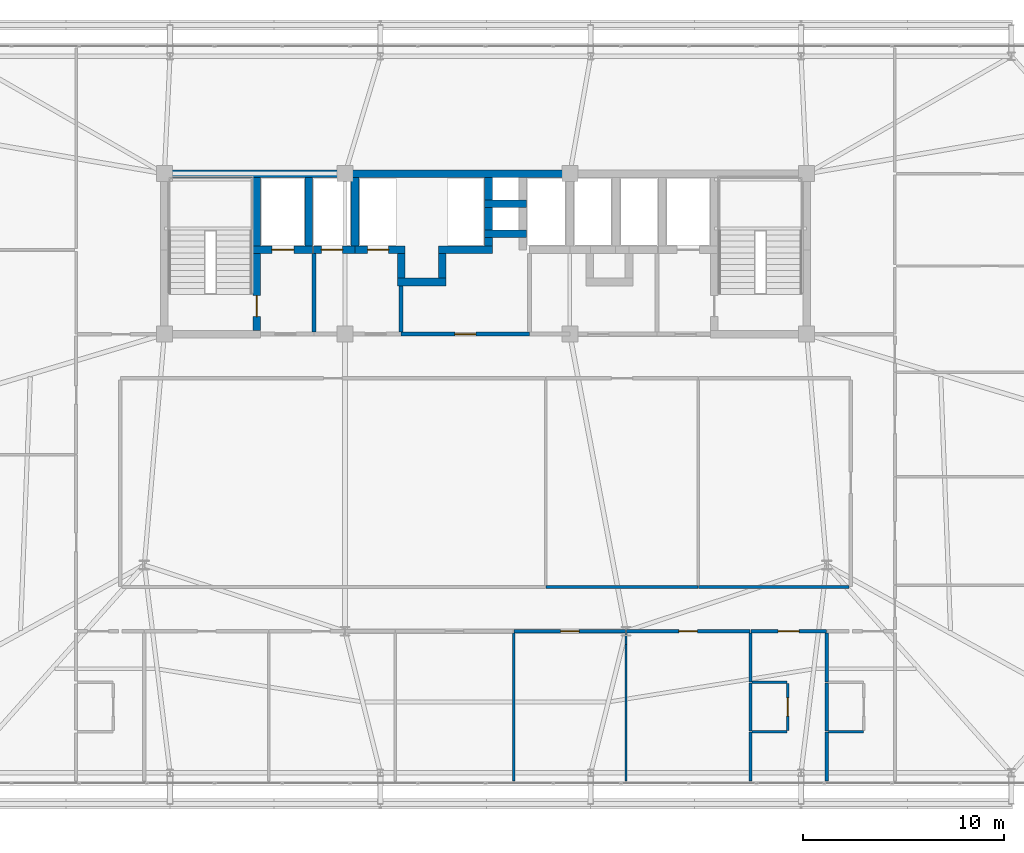
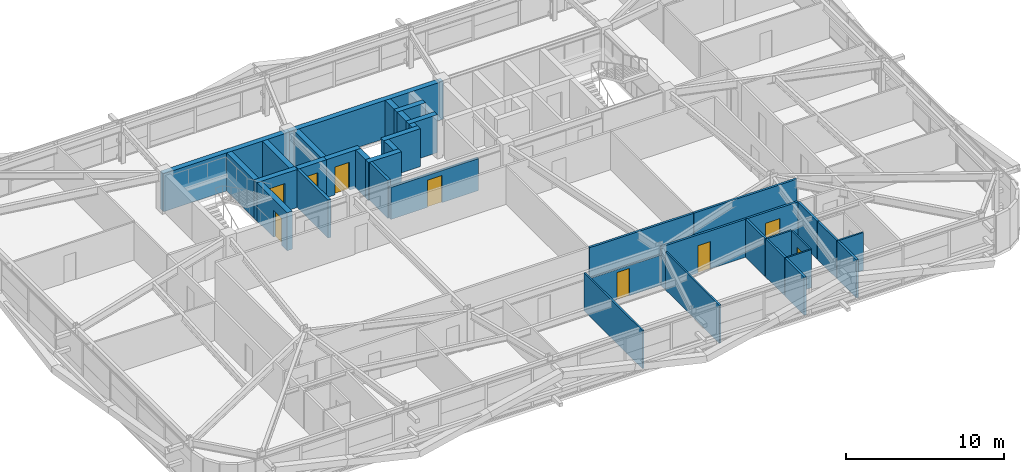
# One storey, part 53 of 58: 39 walls, 9 doors, 9 openings.
"""IFC4 building model written with IfcOpenShell, lengths in metres."""

from ifc_helpers import new_model, si_unit, direction, frame, frame_2d, origin, place, context, subcontext, project, spatial, rectangle, extrude, source, transform, mapped, material, layer, layer_set, type_object, element, fill, save


model = new_model("IFC4")

# Units and contexts
model_context = context("Model", 3, precision=1e-05, world=origin(), true_north=direction((0.0, 1.0)))
body_context = subcontext(model_context, "Body", "Model", "MODEL_VIEW")
ifc_project = project(units=[si_unit("LENGTHUNIT", "METRE"), si_unit("AREAUNIT", "SQUARE_METRE"), si_unit("VOLUMEUNIT", "CUBIC_METRE"), si_unit("PLANEANGLEUNIT", "RADIAN"), si_unit("MASSUNIT", "GRAM", prefix="KILO")], contexts=[model_context])

# Site, building, storey
site_placement = place(None, origin())
site = spatial("IfcSite", under=ifc_project, at=site_placement, CompositionType="ELEMENT")
building_placement = place(site_placement, origin())
building = spatial("IfcBuilding", under=site, at=building_placement, Name="Taldren Reach Tower", CompositionType="ELEMENT")
storey_placement = place(building_placement, frame((0.0, 0.0, 51.449951171875)))
storey = spatial("IfcBuildingStorey", under=building, at=storey_placement, Name="L15", CompositionType="ELEMENT", Elevation=51.449951171875)

# Walls
ifc_material_1 = material(Name="Concrete S80 (80 MPa)", Category="concrete")
ifc_layer_1 = layer(ifc_material_1, 0.3798828125)
ifc_layer_set_1 = layer_set([ifc_layer_1], Name="Concrete S80 (80 MPa)")
wall_type_1 = type_object("IfcWallType", Name="IW-CORE-380", PredefinedType="SHEAR", material=ifc_layer_set_1)
shared_shape_1 = source(origin(), body_context, "Body", "SweptSolid", [
    extrude(rectangle(XDim=9.18994140625, YDim=0.3798828125, at=frame_2d((4.594970703125, 0.0))), origin(), (0.0, 0.0, 1.0), 2.929931640625),
])
wall_1_placement = place(storey_placement, frame((18.81005859375, 32.0, 0.0), z_axis=(0.0, 0.0, 1.0), x_axis=(1.0, 0.0, 0.0)))
element("IfcWall", 1, at=wall_1_placement, inside=storey, type_object=wall_type_1, Name="Rear Core Shear Wall W-CORE-L15-NORTH1", PredefinedType="SHEAR", context=body_context, shape_type="MappedRepresentation", body=[
    mapped(shared_shape_1, transform((0.0, 0.0, 0.0), scale=1.0)),
])
shared_shape_2 = source(origin(), body_context, "Body", "SweptSolid", [
    extrude(rectangle(XDim=11.199951171875, YDim=0.3798828125, at=frame_2d((5.60009765625, 0.0))), origin(), (0.0, 0.0, 1.0), 2.929931640625),
])
wall_2_placement = place(storey_placement, frame((28.0, 32.0, 0.0), z_axis=(0.0, 0.0, 1.0), x_axis=(1.0, 0.0, 0.0)))
element("IfcWall", 2, at=wall_2_placement, inside=storey, type_object=wall_type_1, Name="Rear Core Shear Wall W-CORE-L15-NORTH2", PredefinedType="SHEAR", context=body_context, shape_type="MappedRepresentation", body=[
    mapped(shared_shape_2, transform((0.0, 0.0, 0.0), scale=1.0)),
])
shared_shape_3 = source(origin(), body_context, "Body", "SweptSolid", [
    extrude(rectangle(XDim=3.420166015625, YDim=0.3798828125, at=frame_2d((1.7099609375, 0.0))), origin(), (0.0, 0.0, 1.0), 2.929931640625),
])
for number, where, z_axis, x_axis, name in (
    (3, (23.60009765625, 28.389892578125, 0.0), (0.0, 0.0, 1.0), (0.0, 1.0, 0.0), "Rear Core Shear Wall W-INT-L15-001"),
    (4, (26.199951171875, 28.389892578125, 0.0), (0.0, 0.0, 1.0), (0.0, 1.0, 0.0), "Rear Core Shear Wall W-INT-L15-005"),
    (5, (28.5, 28.389892578125, 0.0), (0.0, 0.0, 1.0), (0.0, 1.0, 0.0), "Rear Core Shear Wall W-INT-L15-029"),
):
    element("IfcWall", number, at=place(storey_placement, frame(where, z_axis=z_axis, x_axis=x_axis)), inside=storey, type_object=wall_type_1, Name=name, PredefinedType="SHEAR", context=body_context, shape_type="MappedRepresentation", body=[
        mapped(shared_shape_3, transform((0.0, 0.0, 0.0), scale=1.0)),
    ])

# Wall, opening, door
shared_shape_4 = source(origin(), body_context, "Body", "SweptSolid", [
    extrude(rectangle(XDim=3.820068359375, YDim=0.3798828125, at=frame_2d((1.91015625, 0.0))), origin(), (0.0, 0.0, 1.0), 2.929931640625),
])
wall_3_placement = place(storey_placement, frame((23.60009765625, 24.18994140625, 0.0), z_axis=(0.0, 0.0, 1.0), x_axis=(0.0, 1.0, 0.0)))
wall_3 = element("IfcWall", 6, at=wall_3_placement, inside=storey, type_object=wall_type_1, Name="Rear Core Shear Wall W-INT-L15-002", PredefinedType="SHEAR", context=body_context, shape_type="MappedRepresentation", body=[
    mapped(shared_shape_4, transform((0.0, 0.0, 0.0), scale=1.0)),
])
shared_shape_5 = source(origin(), body_context, "Body", "SweptSolid", [
    extrude(rectangle(XDim=1.050048828125, YDim=2.10009765625, at=frame_2d((0.52490234375, 1.050048828125))), frame((0.0, 0.199951171875, 0.0), z_axis=(0.0, -1.0, 0.0), x_axis=(1.0, 0.0, 0.0)), (0.0, 0.0, 1.0), 0.39990234375),
])
opening_1_placement = place(wall_3_placement, frame((0.68505859375, 0.0, 0.0)))
opening_1 = element("IfcOpeningElement", 7, at=opening_1_placement, cuts=wall_3, Name="Opening DF-105", PredefinedType="OPENING", context=body_context, shape_type="MappedRepresentation", body=[
    mapped(shared_shape_5, transform((0.0, 0.0, 0.0), scale=1.0)),
])
ifc_material_2 = material(Name="Fire-Rated Care and Stair Exit Door")
door_type_1 = type_object("IfcDoorType", Name="ID-FIRE-105", OperationType="NOTDEFINED", PredefinedType="DOOR", material=ifc_material_2)
shared_shape_6 = source(origin(), body_context, "Body", "SweptSolid", [
    extrude(rectangle(XDim=1.050048828125, YDim=2.10009765625, at=frame_2d((0.52490234375, 1.050048828125))), frame((0.0, 0.02490234375, 0.0), z_axis=(0.0, -1.0, 0.0), x_axis=(1.0, 0.0, 0.0)), (0.0, 0.0, 1.0), 0.050048828125),
])
door_1_placement = place(opening_1_placement, origin())
door_1 = element("IfcDoor", 8, at=door_1_placement, inside=storey, type_object=door_type_1, Name="Fire Exit Stair Door DR-L15-001", OperationType="SINGLE_SWING_LEFT", OverallHeight=2.10009765625, OverallWidth=1.050048828125, PredefinedType="DOOR", context=body_context, shape_type="MappedRepresentation", body=[
    mapped(shared_shape_6, transform((0.0, 0.0, 0.0), scale=1.0)),
])
fill(opening_1, door_1)

shared_shape_7 = source(origin(), body_context, "Body", "SweptSolid", [
    extrude(rectangle(XDim=2.97998046875, YDim=0.3798828125, at=frame_2d((1.489990234375, 0.0))), origin(), (0.0, 0.0, 1.0), 2.929931640625),
])
wall_4_placement = place(storey_placement, frame((23.409912109375, 28.199951171875, 0.0), z_axis=(0.0, 0.0, 1.0), x_axis=(1.0, 0.0, 0.0)))
wall_4 = element("IfcWall", 9, at=wall_4_placement, inside=storey, type_object=wall_type_1, Name="Rear Core Shear Wall W-INT-L15-004", PredefinedType="SHEAR", context=body_context, shape_type="MappedRepresentation", body=[
    mapped(shared_shape_7, transform((0.0, 0.0, 0.0), scale=1.0)),
])
shared_shape_8 = source(origin(), body_context, "Body", "SweptSolid", [
    extrude(rectangle(XDim=1.10009765625, YDim=2.14990234375, at=frame_2d((0.550048828125, 1.074951171875))), frame((0.0, 0.199951171875, 0.0), z_axis=(0.0, -1.0, 0.0), x_axis=(1.0, 0.0, 0.0)), (0.0, 0.0, 1.0), 0.39990234375),
])
opening_2_placement = place(wall_4_placement, frame((0.93994140625, 0.0, 0.0)))
opening_2 = element("IfcOpeningElement", 10, at=opening_2_placement, cuts=wall_4, Name="Opening LD-FL1", PredefinedType="OPENING", context=body_context, shape_type="MappedRepresentation", body=[
    mapped(shared_shape_8, transform((0.0, 0.0, 0.0), scale=1.0)),
])
ifc_material_3 = material(Name="Stainless Steel Gr 316 Emergency Lift Landing Door", Category="steel")
door_type_2 = type_object("IfcDoorType", Name="LD-EMG-110", OperationType="SLIDING_TO_LEFT", PredefinedType="DOOR", material=ifc_material_3)
shared_shape_9 = source(origin(), body_context, "Body", "SweptSolid", [
    extrude(rectangle(XDim=1.10009765625, YDim=2.14990234375, at=frame_2d((0.550048828125, 1.074951171875))), frame((0.0, 0.02490234375, 0.0), z_axis=(0.0, -1.0, 0.0), x_axis=(1.0, 0.0, 0.0)), (0.0, 0.0, 1.0), 0.050048828125),
])
door_2_placement = place(opening_2_placement, origin())
door_2 = element("IfcDoor", 11, at=door_2_placement, inside=storey, type_object=door_type_2, Name="Lift Landing Door LD-FL1-L15", OperationType="SLIDING_TO_LEFT", OverallHeight=2.14990234375, OverallWidth=1.10009765625, PredefinedType="DOOR", context=body_context, shape_type="MappedRepresentation", body=[
    mapped(shared_shape_9, transform((0.0, 0.0, 0.0), scale=1.0)),
])
fill(opening_2, door_2)

# Walls
ifc_material_4 = material(Name="Concrete S50 (50 MPa)", Category="concrete")
ifc_layer_2 = layer(ifc_material_4, 0.199951171875)
ifc_layer_set_2 = layer_set([ifc_layer_2], Name="Concrete S50 (50 MPa)")
wall_type_2 = type_object("IfcWallType", Name="IW-CORE-200", PredefinedType="SOLIDWALL", material=ifc_layer_set_2)
shared_shape_10 = source(origin(), body_context, "Body", "SweptSolid", [
    extrude(rectangle(XDim=3.909912109375, YDim=0.199951171875, at=frame_2d((1.955078125, 0.0))), origin(), (0.0, 0.0, 1.0), 2.929931640625),
])
wall_5_placement = place(storey_placement, frame((26.449951171875, 24.10009765625, 0.0), z_axis=(0.0, 0.0, 1.0), x_axis=(0.0, 1.0, 0.0)))
element("IfcWall", 12, at=wall_5_placement, inside=storey, type_object=wall_type_2, Name="Rear Core Shear Wall W-INT-L15-006", PredefinedType="SOLIDWALL", context=body_context, shape_type="MappedRepresentation", body=[
    mapped(shared_shape_10, transform((0.0, 0.0, 0.0), scale=1.0)),
])
shared_shape_11 = source(origin(), body_context, "Body", "SweptSolid", [
    extrude(rectangle(XDim=2.080078125, YDim=0.3798828125, at=frame_2d((1.0400390625, 0.0))), origin(), (0.0, 0.0, 1.0), 2.929931640625),
])
for number, where, z_axis, x_axis, name in (
    (13, (34.9599609375, 30.5, 0.0), (0.0, 0.0, 1.0), (1.0, 0.0, 0.0), "Rear Core Shear Wall W-INT-L15-015"),
    (14, (34.9599609375, 29.0, 0.0), (0.0, 0.0, 1.0), (1.0, 0.0, 0.0), "Rear Core Shear Wall W-INT-L15-020"),
):
    element("IfcWall", number, at=place(storey_placement, frame(where, z_axis=z_axis, x_axis=x_axis)), inside=storey, type_object=wall_type_1, Name=name, PredefinedType="SHEAR", context=body_context, shape_type="MappedRepresentation", body=[
        mapped(shared_shape_11, transform((0.0, 0.0, 0.0), scale=1.0)),
    ])
shared_shape_12 = source(origin(), body_context, "Body", "SweptSolid", [
    extrude(rectangle(XDim=1.1201171875, YDim=0.3798828125, at=frame_2d((0.56005859375, 0.0))), origin(), (0.0, 0.0, 1.0), 2.929931640625),
])
for number, where, z_axis, x_axis, name in (
    (15, (35.14990234375, 31.81005859375, 0.0), (0.0, 0.0, 1.0), (0.0, -1.0, 0.0), "Rear Core Shear Wall W-INT-L15-016"),
    (16, (35.14990234375, 30.31005859375, 0.0), (0.0, 0.0, 1.0), (0.0, -1.0, 0.0), "Rear Core Shear Wall W-INT-L15-018"),
):
    element("IfcWall", number, at=place(storey_placement, frame(where, z_axis=z_axis, x_axis=x_axis)), inside=storey, type_object=wall_type_1, Name=name, PredefinedType="SHEAR", context=body_context, shape_type="MappedRepresentation", body=[
        mapped(shared_shape_12, transform((0.0, 0.0, 0.0), scale=1.0)),
    ])
shared_shape_13 = source(origin(), body_context, "Body", "SweptSolid", [
    extrude(rectangle(XDim=1.219970703125, YDim=0.3798828125, at=frame_2d((0.60986328125, 0.0))), origin(), (0.0, 0.0, 1.0), 2.929931640625),
])
for number, where, z_axis, x_axis, name in (
    (17, (30.800048828125, 28.010009765625, 0.0), (0.0, 0.0, 1.0), (0.0, -1.0, 0.0), "Rear Core Shear Wall W-INT-L15-021"),
    (18, (32.85009765625, 26.7900390625, 0.0), (0.0, 0.0, 1.0), (0.0, 1.0, 0.0), "Rear Core Shear Wall W-INT-L15-023"),
):
    element("IfcWall", number, at=place(storey_placement, frame(where, z_axis=z_axis, x_axis=x_axis)), inside=storey, type_object=wall_type_1, Name=name, PredefinedType="SHEAR", context=body_context, shape_type="MappedRepresentation", body=[
        mapped(shared_shape_13, transform((0.0, 0.0, 0.0), scale=1.0)),
    ])
shared_shape_14 = source(origin(), body_context, "Body", "SweptSolid", [
    extrude(rectangle(XDim=2.429931640625, YDim=0.3798828125, at=frame_2d((1.21484375, 0.0))), origin(), (0.0, 0.0, 1.0), 2.929931640625),
])
wall_6_placement = place(storey_placement, frame((30.610107421875, 26.60009765625, 0.0), z_axis=(0.0, 0.0, 1.0), x_axis=(1.0, 0.0, 0.0)))
element("IfcWall", 19, at=wall_6_placement, inside=storey, type_object=wall_type_1, Name="Rear Core Shear Wall W-INT-L15-022", PredefinedType="SHEAR", context=body_context, shape_type="MappedRepresentation", body=[
    mapped(shared_shape_14, transform((0.0, 0.0, 0.0), scale=1.0)),
])

# Wall, opening, door
shared_shape_15 = source(origin(), body_context, "Body", "SweptSolid", [
    extrude(rectangle(XDim=2.070068359375, YDim=0.3798828125, at=frame_2d((1.03515625, 0.0))), origin(), (0.0, 0.0, 1.0), 2.929931640625),
])
wall_7_placement = place(storey_placement, frame((26.429931640625, 28.199951171875, 0.0), z_axis=(0.0, 0.0, 1.0), x_axis=(1.0, 0.0, 0.0)))
wall_7 = element("IfcWall", 20, at=wall_7_placement, inside=storey, type_object=wall_type_1, Name="Rear Core Shear Wall W-INT-L15-030", PredefinedType="SHEAR", context=body_context, shape_type="MappedRepresentation", body=[
    mapped(shared_shape_15, transform((0.0, 0.0, 0.0), scale=1.0)),
])
shared_shape_16 = source(origin(), body_context, "Body", "SweptSolid", [
    extrude(rectangle(XDim=1.050048828125, YDim=2.14990234375, at=frame_2d((0.52490234375, 1.074951171875))), frame((0.0, 0.199951171875, 0.0), z_axis=(0.0, -1.0, 0.0), x_axis=(1.0, 0.0, 0.0)), (0.0, 0.0, 1.0), 0.39990234375),
])
opening_3_placement = place(wall_7_placement, frame((0.39501953125, 0.0, 0.0)))
opening_3 = element("IfcOpeningElement", 21, at=opening_3_placement, cuts=wall_7, Name="Opening LD-PL1", PredefinedType="OPENING", context=body_context, shape_type="MappedRepresentation", body=[
    mapped(shared_shape_16, transform((0.0, 0.0, 0.0), scale=1.0)),
])
ifc_material_5 = material(Name="Stainless Steel Gr 316 Passenger Lift Landing Door", Category="steel")
door_type_3 = type_object("IfcDoorType", Name="LD-PAS-105", OperationType="SLIDING_TO_LEFT", PredefinedType="DOOR", material=ifc_material_5)
shared_shape_17 = source(origin(), body_context, "Body", "SweptSolid", [
    extrude(rectangle(XDim=1.050048828125, YDim=2.14990234375, at=frame_2d((0.52490234375, 1.074951171875))), frame((0.0, 0.02490234375, 0.0), z_axis=(0.0, -1.0, 0.0), x_axis=(1.0, 0.0, 0.0)), (0.0, 0.0, 1.0), 0.050048828125),
])
door_3_placement = place(opening_3_placement, origin())
door_3 = element("IfcDoor", 22, at=door_3_placement, inside=storey, type_object=door_type_3, Name="Lift Landing Door LD-PL1-L15", OperationType="SLIDING_TO_LEFT", OverallHeight=2.14990234375, OverallWidth=1.050048828125, PredefinedType="DOOR", context=body_context, shape_type="MappedRepresentation", body=[
    mapped(shared_shape_17, transform((0.0, 0.0, 0.0), scale=1.0)),
])
fill(opening_3, door_3)

shared_shape_18 = source(origin(), body_context, "Body", "SweptSolid", [
    extrude(rectangle(XDim=2.489990234375, YDim=0.3798828125, at=frame_2d((1.2451171875, 0.0))), origin(), (0.0, 0.0, 1.0), 2.929931640625),
])
wall_8_placement = place(storey_placement, frame((28.5, 28.199951171875, 0.0), z_axis=(0.0, 0.0, 1.0), x_axis=(1.0, 0.0, 0.0)))
wall_8 = element("IfcWall", 23, at=wall_8_placement, inside=storey, type_object=wall_type_1, Name="Rear Core Shear Wall W-INT-L15-031", PredefinedType="SHEAR", context=body_context, shape_type="MappedRepresentation", body=[
    mapped(shared_shape_18, transform((0.0, 0.0, 0.0), scale=1.0)),
])
opening_4_placement = place(wall_8_placement, frame((0.625, 0.0, 0.0)))
opening_4 = element("IfcOpeningElement", 24, at=opening_4_placement, cuts=wall_8, Name="Opening LD-PL2", PredefinedType="OPENING", context=body_context, shape_type="MappedRepresentation", body=[
    mapped(shared_shape_16, transform((0.0, 0.0, 0.0), scale=1.0)),
])
door_4_placement = place(opening_4_placement, origin())
door_4 = element("IfcDoor", 25, at=door_4_placement, inside=storey, type_object=door_type_3, Name="Lift Landing Door LD-PL2-L15", OperationType="SLIDING_TO_LEFT", OverallHeight=2.14990234375, OverallWidth=1.050048828125, PredefinedType="DOOR", context=body_context, shape_type="MappedRepresentation", body=[
    mapped(shared_shape_17, transform((0.0, 0.0, 0.0), scale=1.0)),
])
fill(opening_4, door_4)

# Walls
shared_shape_19 = source(origin(), body_context, "Body", "SweptSolid", [
    extrude(rectangle(XDim=2.309814453125, YDim=0.199951171875, at=frame_2d((1.15478515625, 0.0))), origin(), (0.0, 0.0, 1.0), 2.929931640625),
])
wall_9_placement = place(storey_placement, frame((30.800048828125, 26.409912109375, 0.0), z_axis=(0.0, 0.0, 1.0), x_axis=(0.0, -1.0, 0.0)))
element("IfcWall", 26, at=wall_9_placement, inside=storey, type_object=wall_type_2, Name="Rear Core Shear Wall W-INT-L15-032", PredefinedType="SOLIDWALL", context=body_context, shape_type="MappedRepresentation", body=[
    mapped(shared_shape_19, transform((0.0, 0.0, 0.0), scale=1.0)),
])
shared_shape_20 = source(origin(), body_context, "Body", "SweptSolid", [
    extrude(rectangle(XDim=2.68017578125, YDim=0.3798828125, at=frame_2d((1.340087890625, 0.0))), origin(), (0.0, 0.0, 1.0), 2.929931640625),
])
wall_10_placement = place(storey_placement, frame((32.659912109375, 28.199951171875, 0.0), z_axis=(0.0, 0.0, 1.0), x_axis=(1.0, 0.0, 0.0)))
element("IfcWall", 27, at=wall_10_placement, inside=storey, type_object=wall_type_1, Name="Rear Core Shear Wall W-INT-L15-034", PredefinedType="SHEAR", context=body_context, shape_type="MappedRepresentation", body=[
    mapped(shared_shape_20, transform((0.0, 0.0, 0.0), scale=1.0)),
])
shared_shape_21 = source(origin(), body_context, "Body", "SweptSolid", [
    extrude(rectangle(XDim=0.420166015625, YDim=0.3798828125, at=frame_2d((0.2099609375, 0.0))), origin(), (0.0, 0.0, 1.0), 2.929931640625),
])
wall_11_placement = place(storey_placement, frame((35.14990234375, 28.389892578125, 0.0), z_axis=(0.0, 0.0, 1.0), x_axis=(0.0, 1.0, 0.0)))
element("IfcWall", 28, at=wall_11_placement, inside=storey, type_object=wall_type_1, Name="Rear Core Shear Wall W-INT-L15-035", PredefinedType="SHEAR", context=body_context, shape_type="MappedRepresentation", body=[
    mapped(shared_shape_21, transform((0.0, 0.0, 0.0), scale=1.0)),
])

# Wall, opening, door
shared_shape_22 = source(origin(), body_context, "Body", "SweptSolid", [
    extrude(rectangle(XDim=6.39990234375, YDim=0.199951171875, at=frame_2d((3.199951171875, 0.0))), origin(), (0.0, 0.0, 1.0), 2.469970703125),
])
wall_12_placement = place(storey_placement, frame((37.199951171875, 24.0, 0.0), z_axis=(0.0, 0.0, 1.0), x_axis=(-1.0, 0.0, 0.0)))
wall_12 = element("IfcWall", 29, at=wall_12_placement, inside=storey, type_object=wall_type_2, Name="Rear Core Shear Wall W-INT-L15-043", PredefinedType="SOLIDWALL", context=body_context, shape_type="MappedRepresentation", body=[
    mapped(shared_shape_22, transform((0.0, 0.0, 0.0), scale=1.0)),
])
shared_shape_23 = source(origin(), body_context, "Body", "SweptSolid", [
    extrude(rectangle(XDim=1.050048828125, YDim=2.10009765625, at=frame_2d((0.52490234375, 1.050048828125))), frame((0.0, 0.10986328125, 0.0), z_axis=(0.0, -1.0, 0.0), x_axis=(1.0, 0.0, 0.0)), (0.0, 0.0, 1.0), 0.219970703125),
])
opening_5_placement = place(wall_12_placement, frame((2.675048828125, 0.0, 0.0)))
opening_5 = element("IfcOpeningElement", 30, at=opening_5_placement, cuts=wall_12, Name="Opening DF-105", PredefinedType="OPENING", context=body_context, shape_type="MappedRepresentation", body=[
    mapped(shared_shape_23, transform((0.0, 0.0, 0.0), scale=1.0)),
])
door_5_placement = place(opening_5_placement, frame((1.050048828125, 0.0, 0.0), z_axis=(0.0, 0.0, 1.0), x_axis=(-1.0, 0.0, 0.0)))
door_5 = element("IfcDoor", 31, at=door_5_placement, inside=storey, type_object=door_type_1, Name="Interior Door DR-L15-006", OperationType="SINGLE_SWING_RIGHT", OverallHeight=2.10009765625, OverallWidth=1.050048828125, PredefinedType="DOOR", context=body_context, shape_type="MappedRepresentation", body=[
    mapped(shared_shape_6, transform((0.0, 0.0, 0.0), scale=1.0)),
])
fill(opening_5, door_5)

# Wall
ifc_material_6 = material(Name="Insulated Residential Stud Partition", Category="gypsum")
ifc_layer_3 = layer(ifc_material_6, 0.1201171875)
ifc_layer_set_3 = layer_set([ifc_layer_3], Name="Insulated Residential Stud Partition")
wall_type_3 = type_object("IfcWallType", Name="IW-PART-120", PredefinedType="PARTITIONING", material=ifc_layer_set_3)
shared_shape_24 = source(origin(), body_context, "Body", "SweptSolid", [
    extrude(rectangle(XDim=7.39013671875, YDim=0.1201171875, at=frame_2d((3.695068359375, 0.0))), origin(), (0.0, 0.0, 1.0), 2.929931640625),
])
wall_13_placement = place(storey_placement, frame((36.39990234375, 9.1201171875, 0.0), z_axis=(0.0, 0.0, 1.0), x_axis=(0.0, -1.0, 0.0)))
element("IfcWall", 32, at=wall_13_placement, inside=storey, type_object=wall_type_3, Name="Interior Partition Wall W-INT-L15-082", PredefinedType="PARTITIONING", context=body_context, shape_type="MappedRepresentation", body=[
    mapped(shared_shape_24, transform((0.0, 0.0, 0.0), scale=1.0)),
])

# Wall, opening, door
shared_shape_25 = source(origin(), body_context, "Body", "SweptSolid", [
    extrude(rectangle(XDim=2.330078125, YDim=0.1201171875, at=frame_2d((1.1650390625, 0.0))), origin(), (0.0, 0.0, 1.0), 2.929931640625),
])
wall_14_placement = place(storey_placement, frame((50.050048828125, 4.260009765625, 0.0), z_axis=(0.0, 0.0, 1.0), x_axis=(0.0, 1.0, 0.0)))
wall_14 = element("IfcWall", 33, at=wall_14_placement, inside=storey, type_object=wall_type_3, Name="Interior Partition Wall W-INT-L15-087", PredefinedType="PARTITIONING", context=body_context, shape_type="MappedRepresentation", body=[
    mapped(shared_shape_25, transform((0.0, 0.0, 0.0), scale=1.0)),
])
shared_shape_26 = source(origin(), body_context, "Body", "SweptSolid", [
    extrude(rectangle(XDim=0.919921875, YDim=2.10009765625, at=frame_2d((0.4599609375, 1.050048828125))), frame((0.0, 0.070068359375, 0.0), z_axis=(0.0, -1.0, 0.0), x_axis=(1.0, 0.0, 0.0)), (0.0, 0.0, 1.0), 0.14013671875),
])
opening_6_placement = place(wall_14_placement, frame((0.705078125, 0.0, 0.0)))
opening_6 = element("IfcOpeningElement", 34, at=opening_6_placement, cuts=wall_14, Name="Opening DI-092", PredefinedType="OPENING", context=body_context, shape_type="MappedRepresentation", body=[
    mapped(shared_shape_26, transform((0.0, 0.0, 0.0), scale=1.0)),
])
ifc_material_7 = material(Name="Solid-Core Timber Suite Door", Category="wood")
door_type_4 = type_object("IfcDoorType", Name="ID-INT-092", OperationType="NOTDEFINED", PredefinedType="DOOR", material=ifc_material_7)
shared_shape_27 = source(origin(), body_context, "Body", "SweptSolid", [
    extrude(rectangle(XDim=0.919921875, YDim=2.10009765625, at=frame_2d((0.4599609375, 1.050048828125))), frame((0.0, 0.02490234375, 0.0), z_axis=(0.0, -1.0, 0.0), x_axis=(1.0, 0.0, 0.0)), (0.0, 0.0, 1.0), 0.050048828125),
])
door_6_placement = place(opening_6_placement, origin())
door_6 = element("IfcDoor", 35, at=door_6_placement, inside=storey, type_object=door_type_4, Name="Interior Door DR-L15-027", OperationType="SINGLE_SWING_RIGHT", OverallHeight=2.10009765625, OverallWidth=0.919921875, PredefinedType="DOOR", context=body_context, shape_type="MappedRepresentation", body=[
    mapped(shared_shape_27, transform((0.0, 0.0, 0.0), scale=1.0)),
])
fill(opening_6, door_6)

# Walls
shared_shape_28 = source(origin(), body_context, "Body", "SweptSolid", [
    extrude(rectangle(XDim=1.749755859375, YDim=0.1201171875, at=frame_2d((0.875, 0.0))), origin(), (0.0, 0.0, 1.0), 2.929931640625),
])
for number, where, z_axis, x_axis, name in (
    (36, (48.280029296875, 4.199951171875, 0.0), (0.0, 0.0, 1.0), (1.0, 0.0, 0.0), "Interior Partition Wall W-INT-L15-088"),
    (37, (50.02978515625, 6.64990234375, 0.0), (0.0, 0.0, 1.0), (-1.0, 0.0, 0.0), "Interior Partition Wall W-INT-L15-089"),
    (38, (52.080078125, 4.199951171875, 0.0), (0.0, 0.0, 1.0), (1.0, 0.0, 0.0), "Interior Partition Wall W-INT-L15-094"),
):
    element("IfcWall", number, at=place(storey_placement, frame(where, z_axis=z_axis, x_axis=x_axis)), inside=storey, type_object=wall_type_3, Name=name, PredefinedType="PARTITIONING", context=body_context, shape_type="MappedRepresentation", body=[
        mapped(shared_shape_28, transform((0.0, 0.0, 0.0), scale=1.0)),
    ])
ifc_material_8 = material(Name="Fire-Rated Acoustic Plasterboard Stud Wall", Category="gypsum")
ifc_layer_4 = layer(ifc_material_8, 0.159912109375)
ifc_layer_set_4 = layer_set([ifc_layer_4], Name="Fire-Rated Acoustic Plasterboard Stud Wall")
wall_type_4 = type_object("IfcWallType", Name="IW-FIRE-160", PredefinedType="PARTITIONING", material=ifc_layer_set_4)
shared_shape_29 = source(origin(), body_context, "Body", "SweptSolid", [
    extrude(rectangle(XDim=2.44775390625, YDim=0.159912109375, at=frame_2d((1.223876953125, 0.0))), origin(), (0.0, 0.0, 1.0), 2.929931640625),
])
for number, where, z_axis, x_axis, name in (
    (39, (52.0, 4.1796875, 0.0), (0.0, 0.0, 1.0), (0.0, -1.0, 0.0), "Interior Partition Wall W-INT-L15-090"),
    (40, (52.0, 9.117919921875, 0.0), (0.0, 0.0, 1.0), (0.0, -1.0, 0.0), "Interior Partition Wall W-INT-L15-091"),
):
    element("IfcWall", number, at=place(storey_placement, frame(where, z_axis=z_axis, x_axis=x_axis)), inside=storey, type_object=wall_type_4, Name=name, PredefinedType="PARTITIONING", context=body_context, shape_type="MappedRepresentation", body=[
        mapped(shared_shape_29, transform((0.0, 0.0, 0.0), scale=1.0)),
    ])
shared_shape_30 = source(origin(), body_context, "Body", "SweptSolid", [
    extrude(rectangle(XDim=2.40966796875, YDim=0.159912109375, at=frame_2d((1.204833984375, 0.0))), origin(), (0.0, 0.0, 1.0), 2.929931640625),
])
for number, where, z_axis, x_axis, name in (
    (41, (48.199951171875, 6.6298828125, 0.0), (0.0, 0.0, 1.0), (0.0, -1.0, 0.0), "Interior Partition Wall W-INT-L15-086"),
    (42, (52.0, 6.6298828125, 0.0), (0.0, 0.0, 1.0), (0.0, -1.0, 0.0), "Interior Partition Wall W-INT-L15-092"),
):
    element("IfcWall", number, at=place(storey_placement, frame(where, z_axis=z_axis, x_axis=x_axis)), inside=storey, type_object=wall_type_4, Name=name, PredefinedType="PARTITIONING", context=body_context, shape_type="MappedRepresentation", body=[
        mapped(shared_shape_30, transform((0.0, 0.0, 0.0), scale=1.0)),
    ])
shared_shape_31 = source(origin(), body_context, "Body", "SweptSolid", [
    extrude(rectangle(XDim=2.44970703125, YDim=0.159912109375, at=frame_2d((1.224853515625, 0.0))), origin(), (0.0, 0.0, 1.0), 2.929931640625),
])
wall_15_placement = place(storey_placement, frame((48.199951171875, 4.1796875, 0.0), z_axis=(0.0, 0.0, 1.0), x_axis=(0.0, -1.0, 0.0)))
element("IfcWall", 43, at=wall_15_placement, inside=storey, type_object=wall_type_4, Name="Interior Partition Wall W-INT-L15-084", PredefinedType="PARTITIONING", context=body_context, shape_type="MappedRepresentation", body=[
    mapped(shared_shape_31, transform((0.0, 0.0, 0.0), scale=1.0)),
])
shared_shape_32 = source(origin(), body_context, "Body", "SweptSolid", [
    extrude(rectangle(XDim=2.449951171875, YDim=0.159912109375, at=frame_2d((1.22509765625, 0.0))), origin(), (0.0, 0.0, 1.0), 2.929931640625),
])
wall_16_placement = place(storey_placement, frame((48.199951171875, 9.1201171875, 0.0), z_axis=(0.0, 0.0, 1.0), x_axis=(0.0, -1.0, 0.0)))
element("IfcWall", 44, at=wall_16_placement, inside=storey, type_object=wall_type_4, Name="Interior Partition Wall W-INT-L15-085", PredefinedType="PARTITIONING", context=body_context, shape_type="MappedRepresentation", body=[
    mapped(shared_shape_32, transform((0.0, 0.0, 0.0), scale=1.0)),
])
shared_shape_33 = source(origin(), body_context, "Body", "SweptSolid", [
    extrude(rectangle(XDim=0.591796875, YDim=0.1201171875, at=frame_2d((0.2958984375, 0.0))), origin(), (0.0, 0.0, 1.0), 2.39697265625),
])
wall_17_placement = place(storey_placement, frame((42.0, 9.1201171875, 0.0), z_axis=(0.0, 0.0, 1.0), x_axis=(0.0, -1.0, 0.0)))
element("IfcWall", 45, at=wall_17_placement, inside=storey, type_object=wall_type_3, Name="Interior Partition Wall W-INT-L15-083", PredefinedType="PARTITIONING", context=body_context, shape_type="MappedRepresentation", body=[
    mapped(shared_shape_33, transform((0.0, 0.0, 0.0), scale=1.0)),
])
shared_shape_34 = source(origin(), body_context, "Body", "SweptSolid", [
    extrude(rectangle(XDim=6.79833984375, YDim=0.1201171875, at=frame_2d((3.399169921875, 0.0))), origin(), (0.0, 0.0, 1.0), 2.929931640625),
])
wall_18_placement = place(storey_placement, frame((42.0, 8.5283203125, 0.0), z_axis=(0.0, 0.0, 1.0), x_axis=(0.0, -1.0, 0.0)))
element("IfcWall", 46, at=wall_18_placement, inside=storey, type_object=wall_type_3, Name="Interior Partition Wall W-INT-L15-083 part 2", PredefinedType="PARTITIONING", context=body_context, shape_type="MappedRepresentation", body=[
    mapped(shared_shape_34, transform((0.0, 0.0, 0.0), scale=1.0)),
])
shared_shape_35 = source(origin(), body_context, "Body", "SweptSolid", [
    extrude(rectangle(XDim=7.5595703125, YDim=0.159912109375, at=frame_2d((3.77978515625, 0.0))), origin(), (0.0, 0.0, 1.0), 2.929931640625),
])
wall_19_placement = place(storey_placement, frame((38.020263671875, 11.39990234375, 0.0), z_axis=(0.0, 0.0, 1.0), x_axis=(1.0, 0.0, 0.0)))
element("IfcWall", 47, at=wall_19_placement, inside=storey, type_object=wall_type_4, Name="Interior Partition Wall W-INT-L15-061", PredefinedType="PARTITIONING", context=body_context, shape_type="MappedRepresentation", body=[
    mapped(shared_shape_35, transform((0.0, 0.0, 0.0), scale=1.0)),
])
shared_shape_36 = source(origin(), body_context, "Body", "SweptSolid", [
    extrude(rectangle(XDim=7.5, YDim=0.159912109375, at=frame_2d((3.75, 0.0))), origin(), (0.0, 0.0, 1.0), 2.929931640625),
])
wall_20_placement = place(storey_placement, frame((45.6201171875, 11.39990234375, 0.0), z_axis=(0.0, 0.0, 1.0), x_axis=(1.0, 0.0, 0.0)))
element("IfcWall", 48, at=wall_20_placement, inside=storey, type_object=wall_type_4, Name="Interior Partition Wall W-INT-L15-062", PredefinedType="PARTITIONING", context=body_context, shape_type="MappedRepresentation", body=[
    mapped(shared_shape_36, transform((0.0, 0.0, 0.0), scale=1.0)),
])

# Wall, opening, door
shared_shape_37 = source(origin(), body_context, "Body", "SweptSolid", [
    extrude(rectangle(XDim=6.159423828125, YDim=0.159912109375, at=frame_2d((3.07958984375, 0.0))), origin(), (0.0, 0.0, 1.0), 2.929931640625),
])
wall_21_placement = place(storey_placement, frame((48.1796875, 9.199951171875, 0.0), z_axis=(0.0, 0.0, 1.0), x_axis=(-1.0, 0.0, 0.0)))
wall_21 = element("IfcWall", 49, at=wall_21_placement, inside=storey, type_object=wall_type_4, Name="Interior Partition Wall W-INT-L15-068", PredefinedType="PARTITIONING", context=body_context, shape_type="MappedRepresentation", body=[
    mapped(shared_shape_37, transform((0.0, 0.0, 0.0), scale=1.0)),
])
shared_shape_38 = source(origin(), body_context, "Body", "SweptSolid", [
    extrude(rectangle(XDim=0.919921875, YDim=2.10009765625, at=frame_2d((0.4599609375, 1.050048828125))), frame((0.0, 0.08984375, 0.0), z_axis=(0.0, -1.0, 0.0), x_axis=(1.0, 0.0, 0.0)), (0.0, 0.0, 1.0), 0.179931640625),
])
opening_7_placement = place(wall_21_placement, frame((2.619873046875, 0.0, 0.0)))
opening_7 = element("IfcOpeningElement", 50, at=opening_7_placement, cuts=wall_21, Name="Opening DI-092", PredefinedType="OPENING", context=body_context, shape_type="MappedRepresentation", body=[
    mapped(shared_shape_38, transform((0.0, 0.0, 0.0), scale=1.0)),
])
door_7_placement = place(opening_7_placement, origin())
door_7 = element("IfcDoor", 51, at=door_7_placement, inside=storey, type_object=door_type_4, Name="Interior Door DR-L15-024", OperationType="SINGLE_SWING_LEFT", OverallHeight=2.10009765625, OverallWidth=0.919921875, PredefinedType="DOOR", context=body_context, shape_type="MappedRepresentation", body=[
    mapped(shared_shape_27, transform((0.0, 0.0, 0.0), scale=1.0)),
])
fill(opening_7, door_7)

shared_shape_39 = source(origin(), body_context, "Body", "SweptSolid", [
    extrude(rectangle(XDim=5.5595703125, YDim=0.159912109375, at=frame_2d((2.77978515625, 0.0))), origin(), (0.0, 0.0, 1.0), 2.328125),
])
wall_22_placement = place(storey_placement, frame((41.979736328125, 9.199951171875, 0.0), z_axis=(0.0, 0.0, 1.0), x_axis=(-1.0, 0.0, 0.0)))
wall_22 = element("IfcWall", 52, at=wall_22_placement, inside=storey, type_object=wall_type_4, Name="Interior Partition Wall W-INT-L15-067", PredefinedType="PARTITIONING", context=body_context, shape_type="MappedRepresentation", body=[
    mapped(shared_shape_39, transform((0.0, 0.0, 0.0), scale=1.0)),
])
opening_8_placement = place(wall_22_placement, frame((2.31982421875, 0.0, 0.0)))
opening_8 = element("IfcOpeningElement", 53, at=opening_8_placement, cuts=wall_22, Name="Opening DI-092", PredefinedType="OPENING", context=body_context, shape_type="MappedRepresentation", body=[
    mapped(shared_shape_38, transform((0.0, 0.0, 0.0), scale=1.0)),
])
door_8_placement = place(opening_8_placement, origin())
door_8 = element("IfcDoor", 54, at=door_8_placement, inside=storey, type_object=door_type_4, Name="Interior Door DR-L15-023", OperationType="SINGLE_SWING_RIGHT", OverallHeight=2.10009765625, OverallWidth=0.919921875, PredefinedType="DOOR", context=body_context, shape_type="MappedRepresentation", body=[
    mapped(shared_shape_27, transform((0.0, 0.0, 0.0), scale=1.0)),
])
fill(opening_8, door_8)

shared_shape_40 = source(origin(), body_context, "Body", "SweptSolid", [
    extrude(rectangle(XDim=3.759521484375, YDim=0.159912109375, at=frame_2d((1.8798828125, 0.0))), origin(), (0.0, 0.0, 1.0), 2.929931640625),
])
wall_23_placement = place(storey_placement, frame((51.979736328125, 9.199951171875, 0.0), z_axis=(0.0, 0.0, 1.0), x_axis=(-1.0, 0.0, 0.0)))
wall_23 = element("IfcWall", 55, at=wall_23_placement, inside=storey, type_object=wall_type_4, Name="Interior Partition Wall W-INT-L15-069", PredefinedType="PARTITIONING", context=body_context, shape_type="MappedRepresentation", body=[
    mapped(shared_shape_40, transform((0.0, 0.0, 0.0), scale=1.0)),
])
shared_shape_41 = source(origin(), body_context, "Body", "SweptSolid", [
    extrude(rectangle(XDim=1.050048828125, YDim=2.10009765625, at=frame_2d((0.52490234375, 1.050048828125))), frame((0.0, 0.08984375, 0.0), z_axis=(0.0, -1.0, 0.0), x_axis=(1.0, 0.0, 0.0)), (0.0, 0.0, 1.0), 0.179931640625),
])
opening_9_placement = place(wall_23_placement, frame((1.354736328125, 0.0, 0.0)))
opening_9 = element("IfcOpeningElement", 56, at=opening_9_placement, cuts=wall_23, Name="Opening DF-105", PredefinedType="OPENING", context=body_context, shape_type="MappedRepresentation", body=[
    mapped(shared_shape_41, transform((0.0, 0.0, 0.0), scale=1.0)),
])
door_9_placement = place(opening_9_placement, origin())
door_9 = element("IfcDoor", 57, at=door_9_placement, inside=storey, type_object=door_type_1, Name="Interior Door DR-L15-025", OperationType="SINGLE_SWING_RIGHT", OverallHeight=2.10009765625, OverallWidth=1.050048828125, PredefinedType="DOOR", context=body_context, shape_type="MappedRepresentation", body=[
    mapped(shared_shape_6, transform((0.0, 0.0, 0.0), scale=1.0)),
])
fill(opening_9, door_9)

save(model, "model.ifc")
